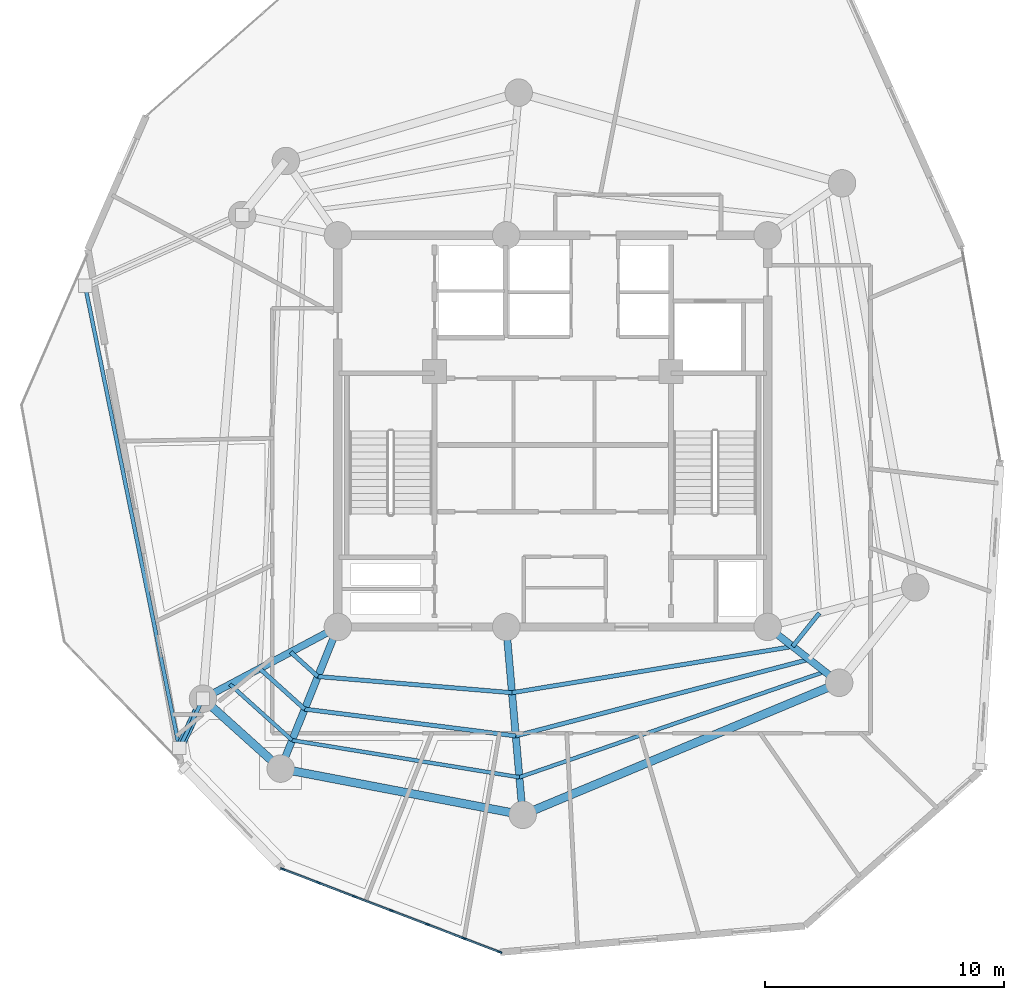
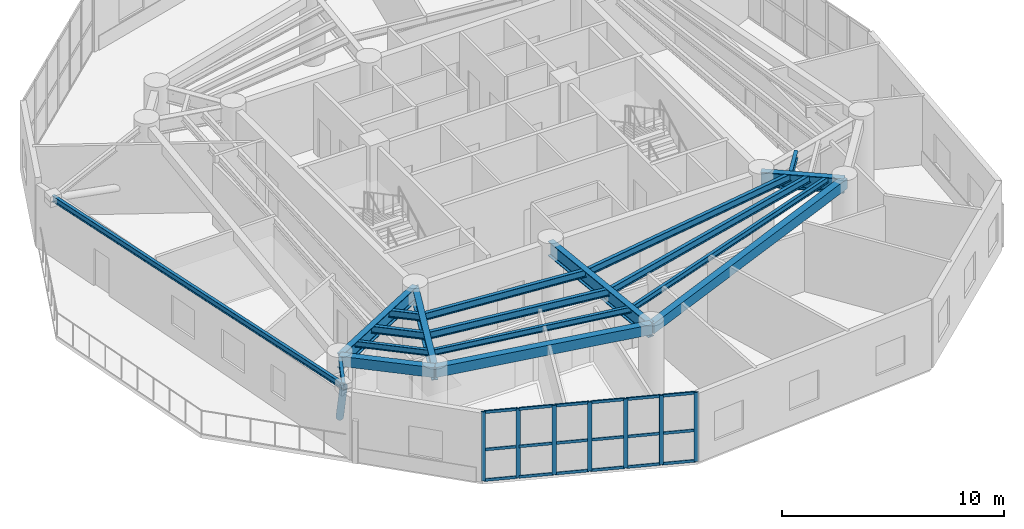
# One storey, part 2 of 12: 26 members, 19 beams, 1 element without a shape of its own.
"""IFC4 building model written with IfcOpenShell, lengths in metres."""

from ifc_helpers import new_model, si_unit, direction, frame, origin, origin_with_axes, origin_2d, place, context, subcontext, project, spatial, rectangle, hollow_circle, i_section, extrude, source, transform, mapped, material, layer, layer_set, material_profile, profile_set, type_object, element, aggregate, save


model = new_model("IFC4")

# Units and contexts
model_context = context("Model", 3, precision=1e-05, world=origin(), true_north=direction((0.0, 1.0)))
body_context = subcontext(model_context, "Body", "Model", "MODEL_VIEW")
ifc_project = project(units=[si_unit("LENGTHUNIT", "METRE"), si_unit("AREAUNIT", "SQUARE_METRE"), si_unit("VOLUMEUNIT", "CUBIC_METRE"), si_unit("PLANEANGLEUNIT", "RADIAN"), si_unit("MASSUNIT", "GRAM", prefix="KILO")], contexts=[model_context])

# Site, building, storey
site_placement = place(None, origin())
site = spatial("IfcSite", under=ifc_project, at=site_placement, CompositionType="ELEMENT")
building_placement = place(site_placement, origin())
building = spatial("IfcBuilding", under=site, at=building_placement, Name="Karkom Vertical University and Central Library", CompositionType="ELEMENT")
storey_placement = place(building_placement, frame((0.0, 0.0, 212.89990234375)))
storey = spatial("IfcBuildingStorey", under=building, at=storey_placement, Name="L62", CompositionType="ELEMENT", Elevation=212.89990234375)

# Beams
ifc_material_1 = material(Name="Steel S355", Category="steel")
ifc_material_profile_1 = material_profile(ifc_material_1, i_section(OverallWidth=0.300048828125, OverallDepth=0.800048828125, WebThickness=0.017578125, FlangeThickness=0.032958984375, FilletRadius=0.030029296875, at=origin_2d()), Name="HE 800 B")
ifc_profile_set_1 = profile_set([ifc_material_profile_1], Name="Steel S355")
beam_type_1 = type_object("IfcBeamType", Name="STR-BM-SB-HE800", PredefinedType="USERDEFINED", material=ifc_profile_set_1)
shared_shape_1 = source(origin_with_axes(), body_context, "Body", "SweptSolid", [
    extrude(i_section(OverallWidth=0.300048828125, OverallDepth=0.800048828125, WebThickness=0.017578125, FlangeThickness=0.032958984375, FilletRadius=0.030029296875, at=origin_2d()), origin(), (0.0, 0.0, 1.0), 6.39990234375),
])
beam_1_placement = place(storey_placement, frame((19.5, 18.300048828125, 3.400146484375), z_axis=(-0.374532429749, -0.927213815183, 0.0), x_axis=(0.927213815183, -0.374532429749, 0.0)))
element("IfcBeam", 1, at=beam_1_placement, inside=storey, type_object=beam_type_1, Name="Level 62 Radial Frame Girder 07", ObjectType="GIRDER", PredefinedType="USERDEFINED", context=body_context, shape_type="MappedRepresentation", body=[
    mapped(shared_shape_1, transform((0.0, 0.0, 0.0), scale=1.0)),
])
shared_shape_2 = source(origin_with_axes(), body_context, "Body", "SweptSolid", [
    extrude(i_section(OverallWidth=0.300048828125, OverallDepth=0.800048828125, WebThickness=0.017578125, FlangeThickness=0.032958984375, FilletRadius=0.030029296875, at=origin_2d()), origin(), (0.0, 0.0, 1.0), 6.400146484375),
])
beam_2_placement = place(storey_placement, frame((19.5, 18.300048828125, 3.400146484375), z_axis=(-0.882915120857, -0.469532628645, 0.0), x_axis=(0.469532628645, -0.882915120857, 0.0)))
element("IfcBeam", 2, at=beam_2_placement, inside=storey, type_object=beam_type_1, Name="Level 62 Radial Frame Girder 06", ObjectType="GIRDER", PredefinedType="USERDEFINED", context=body_context, shape_type="MappedRepresentation", body=[
    mapped(shared_shape_2, transform((0.0, 0.0, 0.0), scale=1.0)),
])
shared_shape_3 = source(origin_with_axes(), body_context, "Body", "SweptSolid", [
    extrude(i_section(OverallWidth=0.300048828125, OverallDepth=0.800048828125, WebThickness=0.017578125, FlangeThickness=0.032958984375, FilletRadius=0.030029296875, at=origin_2d()), origin(), (0.0, 0.0, 1.0), 7.900146484375),
])
beam_3_placement = place(storey_placement, frame((26.550048828125, 18.300048828125, 3.400146484375), z_axis=(0.087208352312, -0.996190093951, 0.0), x_axis=(0.996190093951, 0.087208352312, 0.0)))
element("IfcBeam", 3, at=beam_3_placement, inside=storey, type_object=beam_type_1, Name="Level 62 Radial Frame Girder 08", ObjectType="GIRDER", PredefinedType="USERDEFINED", context=body_context, shape_type="MappedRepresentation", body=[
    mapped(shared_shape_3, transform((0.0, 0.0, 0.0), scale=1.0)),
])
shared_shape_4 = source(origin_with_axes(), body_context, "Body", "SweptSolid", [
    extrude(i_section(OverallWidth=0.300048828125, OverallDepth=0.800048828125, WebThickness=0.017578125, FlangeThickness=0.032958984375, FilletRadius=0.030029296875, at=origin_2d()), origin(), (0.0, 0.0, 1.0), 3.7998046875),
])
beam_4_placement = place(storey_placement, frame((37.5, 18.300048828125, 3.400146484375), z_axis=(0.787883114707, -0.61582481077, 0.0), x_axis=(0.61582481077, 0.787883114707, 0.0)))
element("IfcBeam", 4, at=beam_4_placement, inside=storey, type_object=beam_type_1, Name="Level 62 Radial Frame Girder 09", ObjectType="GIRDER", PredefinedType="USERDEFINED", context=body_context, shape_type="MappedRepresentation", body=[
    mapped(shared_shape_4, transform((0.0, 0.0, 0.0), scale=1.0)),
])
ifc_material_2 = material(Name="Precast concrete C45/55", Category="concrete")
ifc_material_profile_2 = material_profile(ifc_material_2, rectangle(XDim=0.35009765625, YDim=0.550048828125, at=origin_2d()), Name="SPB-350x550")
ifc_profile_set_2 = profile_set([ifc_material_profile_2], Name="Precast concrete C45/55")
beam_type_2 = type_object("IfcBeamType", Name="STR-BM-SP-2", PredefinedType="SPANDREL", material=ifc_profile_set_2)
shared_shape_5 = source(origin_with_axes(), body_context, "Body", "SweptSolid", [
    extrude(rectangle(XDim=0.35009765625, YDim=0.550048828125, at=origin_2d()), origin(), (0.0, 0.0, 1.0), 4.3779296875),
])
beam_5_placement = place(storey_placement, frame((13.84912109375, 15.294921875, 3.525146484375), z_axis=(0.743244232405, -0.669020187287, 0.0), x_axis=(0.669020187287, 0.743244232405, 0.0)))
element("IfcBeam", 5, at=beam_5_placement, inside=storey, type_object=beam_type_2, Name="Level 62 Perimeter Spandrel Beam 06", PredefinedType="SPANDREL", context=body_context, shape_type="MappedRepresentation", body=[
    mapped(shared_shape_5, transform((0.0, 0.0, 0.0), scale=1.0)),
])
shared_shape_6 = source(origin_with_axes(), body_context, "Body", "SweptSolid", [
    extrude(rectangle(XDim=0.35009765625, YDim=0.550048828125, at=origin_2d()), origin(), (0.0, 0.0, 1.0), 10.3193359375),
])
beam_6_placement = place(storey_placement, frame((17.10302734375, 12.365966796875, 3.525146484375), z_axis=(0.982242767385, -0.187614354249, 0.0), x_axis=(0.187614354249, 0.982242767385, 0.0)))
element("IfcBeam", 6, at=beam_6_placement, inside=storey, type_object=beam_type_2, Name="Level 62 Perimeter Spandrel Beam 07", PredefinedType="SPANDREL", context=body_context, shape_type="MappedRepresentation", body=[
    mapped(shared_shape_6, transform((0.0, 0.0, 0.0), scale=1.0)),
])
shared_shape_7 = source(origin_with_axes(), body_context, "Body", "SweptSolid", [
    extrude(rectangle(XDim=0.35009765625, YDim=0.550048828125, at=origin_2d()), origin(), (0.0, 0.0, 1.0), 14.3623046875),
])
beam_7_placement = place(storey_placement, frame((27.239013671875, 10.429931640625, 3.525146484375), z_axis=(0.922899796194, 0.385040213725, 0.0), x_axis=(-0.385040213725, 0.922899796194, 0.0)))
element("IfcBeam", 7, at=beam_7_placement, inside=storey, type_object=beam_type_2, Name="Level 62 Perimeter Spandrel Beam 08", PredefinedType="SPANDREL", context=body_context, shape_type="MappedRepresentation", body=[
    mapped(shared_shape_7, transform((0.0, 0.0, 0.0), scale=1.0)),
])
ifc_material_profile_3 = material_profile(ifc_material_1, i_section(OverallWidth=0.179931640625, OverallDepth=0.39990234375, WebThickness=0.008544921875, FlangeThickness=0.013427734375, FilletRadius=0.02099609375, at=origin_2d()), Name="IPE 400")
ifc_profile_set_3 = profile_set([ifc_material_profile_3], Name="Steel S355")
beam_type_3 = type_object("IfcBeamType", Name="STR-BM-SB-IPE400", PredefinedType="BEAM", material=ifc_profile_set_3)
shared_shape_8 = source(origin_with_axes(), body_context, "Body", "SweptSolid", [
    extrude(i_section(OverallWidth=0.179931640625, OverallDepth=0.39990234375, WebThickness=0.008544921875, FlangeThickness=0.013427734375, FilletRadius=0.02099609375, at=origin_2d()), origin(), (0.0, 0.0, 1.0), 1.5322265625),
])
beam_8_placement = place(storey_placement, frame((17.522216796875, 17.248291015625, 3.60009765625), z_axis=(0.743183211059, -0.669087972392, 0.0), x_axis=(0.669087972392, 0.743183211059, 0.0)))
element("IfcBeam", 8, at=beam_8_placement, inside=storey, type_object=beam_type_3, Name="Level 62 Secondary Composite Floor Beam 1.06", PredefinedType="BEAM", context=body_context, shape_type="MappedRepresentation", body=[
    mapped(shared_shape_8, transform((0.0, 0.0, 0.0), scale=1.0)),
])
shared_shape_9 = source(origin_with_axes(), body_context, "Body", "SweptSolid", [
    extrude(i_section(OverallWidth=0.179931640625, OverallDepth=0.39990234375, WebThickness=0.008544921875, FlangeThickness=0.013427734375, FilletRadius=0.02099609375, at=origin_2d()), origin(), (0.0, 0.0, 1.0), 8.15869140625),
])
beam_9_placement = place(storey_placement, frame((18.660888671875, 16.22314453125, 3.60009765625), z_axis=(0.996543694183, -0.083070244882, 0.0), x_axis=(0.083070244882, 0.996543694183, 0.0)))
element("IfcBeam", 9, at=beam_9_placement, inside=storey, type_object=beam_type_3, Name="Level 62 Secondary Composite Floor Beam 1.07", PredefinedType="BEAM", context=body_context, shape_type="MappedRepresentation", body=[
    mapped(shared_shape_9, transform((0.0, 0.0, 0.0), scale=1.0)),
])
shared_shape_10 = source(origin_with_axes(), body_context, "Body", "SweptSolid", [
    extrude(i_section(OverallWidth=0.179931640625, OverallDepth=0.39990234375, WebThickness=0.008544921875, FlangeThickness=0.013427734375, FilletRadius=0.02099609375, at=origin_2d()), origin(), (0.0, 0.0, 1.0), 11.914794921875),
])
beam_10_placement = place(storey_placement, frame((26.791259765625, 15.54541015625, 3.60009765625), z_axis=(0.986717073469, 0.162448197663, 0.0), x_axis=(-0.162448197663, 0.986717073469, 0.0)))
element("IfcBeam", 10, at=beam_10_placement, inside=storey, type_object=beam_type_3, Name="Level 62 Secondary Composite Floor Beam 1.08", PredefinedType="BEAM", context=body_context, shape_type="MappedRepresentation", body=[
    mapped(shared_shape_10, transform((0.0, 0.0, 0.0), scale=1.0)),
])
shared_shape_11 = source(origin_with_axes(), body_context, "Body", "SweptSolid", [
    extrude(i_section(OverallWidth=0.179931640625, OverallDepth=0.39990234375, WebThickness=0.008544921875, FlangeThickness=0.013427734375, FilletRadius=0.02099609375, at=origin_2d()), origin(), (0.0, 0.0, 1.0), 1.789306640625),
])
beam_11_placement = place(storey_placement, frame((38.5478515625, 17.48095703125, 3.60009765625), z_axis=(0.623679519349, 0.781680150154, 0.0), x_axis=(-0.781680150154, 0.623679519349, 0.0)))
element("IfcBeam", 11, at=beam_11_placement, inside=storey, type_object=beam_type_3, Name="Level 62 Secondary Composite Floor Beam 1.09", PredefinedType="BEAM", context=body_context, shape_type="MappedRepresentation", body=[
    mapped(shared_shape_11, transform((0.0, 0.0, 0.0), scale=1.0)),
])
shared_shape_12 = source(origin_with_axes(), body_context, "Body", "SweptSolid", [
    extrude(i_section(OverallWidth=0.179931640625, OverallDepth=0.39990234375, WebThickness=0.008544921875, FlangeThickness=0.013427734375, FilletRadius=0.02099609375, at=origin_2d()), origin(), (0.0, 0.0, 1.0), 2.5390625),
])
beam_12_placement = place(storey_placement, frame((16.222412109375, 16.55712890625, 3.60009765625), z_axis=(0.743246334517, -0.669017851949, 0.0), x_axis=(0.669017851949, 0.743246334517, 0.0)))
element("IfcBeam", 12, at=beam_12_placement, inside=storey, type_object=beam_type_3, Name="Level 62 Secondary Composite Floor Beam 2.06", PredefinedType="BEAM", context=body_context, shape_type="MappedRepresentation", body=[
    mapped(shared_shape_12, transform((0.0, 0.0, 0.0), scale=1.0)),
])
shared_shape_13 = source(origin_with_axes(), body_context, "Body", "SweptSolid", [
    extrude(i_section(OverallWidth=0.179931640625, OverallDepth=0.39990234375, WebThickness=0.008544921875, FlangeThickness=0.013427734375, FilletRadius=0.02099609375, at=origin_2d()), origin(), (0.0, 0.0, 1.0), 8.9111328125),
])
beam_13_placement = place(storey_placement, frame((18.109619140625, 14.8583984375, 3.60009765625), z_axis=(0.992026771403, -0.126027317751, 0.0), x_axis=(0.126027317751, 0.992026771403, 0.0)))
element("IfcBeam", 13, at=beam_13_placement, inside=storey, type_object=beam_type_3, Name="Level 62 Secondary Composite Floor Beam 2.07", PredefinedType="BEAM", context=body_context, shape_type="MappedRepresentation", body=[
    mapped(shared_shape_13, transform((0.0, 0.0, 0.0), scale=1.0)),
])
shared_shape_14 = source(origin_with_axes(), body_context, "Body", "SweptSolid", [
    extrude(i_section(OverallWidth=0.179931640625, OverallDepth=0.39990234375, WebThickness=0.008544921875, FlangeThickness=0.013427734375, FilletRadius=0.02099609375, at=origin_2d()), origin(), (0.0, 0.0, 1.0), 12.69873046875),
])
beam_14_placement = place(storey_placement, frame((26.94970703125, 13.7353515625, 3.60009765625), z_axis=(0.967573974729, 0.252587813301, 0.0), x_axis=(-0.252587813301, 0.967573974729, 0.0)))
element("IfcBeam", 14, at=beam_14_placement, inside=storey, type_object=beam_type_3, Name="Level 62 Secondary Composite Floor Beam 2.08", PredefinedType="BEAM", context=body_context, shape_type="MappedRepresentation", body=[
    mapped(shared_shape_14, transform((0.0, 0.0, 0.0), scale=1.0)),
])
ifc_material_profile_4 = material_profile(ifc_material_1, i_section(OverallWidth=0.159912109375, OverallDepth=0.330078125, WebThickness=0.007568359375, FlangeThickness=0.011474609375, FilletRadius=0.01806640625, at=origin_2d()), Name="IPE 330")
ifc_profile_set_4 = profile_set([ifc_material_profile_4], Name="Steel S355")
beam_type_4 = type_object("IfcBeamType", Name="STR-BM-SB-IPE330", PredefinedType="BEAM", material=ifc_profile_set_4)
shared_shape_15 = source(origin_with_axes(), body_context, "Body", "SweptSolid", [
    extrude(i_section(OverallWidth=0.159912109375, OverallDepth=0.330078125, WebThickness=0.007568359375, FlangeThickness=0.011474609375, FilletRadius=0.01806640625, at=origin_2d()), origin(), (0.0, 0.0, 1.0), 3.50244140625),
])
beam_15_placement = place(storey_placement, frame((14.979248046875, 15.89599609375, 3.635009765625), z_axis=(0.743249087562, -0.669014793437, 0.0), x_axis=(0.669014793437, 0.743249087562, 0.0)))
element("IfcBeam", 15, at=beam_15_placement, inside=storey, type_object=beam_type_4, Name="Level 62 Secondary Composite Floor Beam 3.06", PredefinedType="BEAM", context=body_context, shape_type="MappedRepresentation", body=[
    mapped(shared_shape_15, transform((0.0, 0.0, 0.0), scale=1.0)),
])
shared_shape_16 = source(origin_with_axes(), body_context, "Body", "SweptSolid", [
    extrude(i_section(OverallWidth=0.159912109375, OverallDepth=0.330078125, WebThickness=0.007568359375, FlangeThickness=0.011474609375, FilletRadius=0.01806640625, at=origin_2d()), origin(), (0.0, 0.0, 1.0), 9.64404296875),
])
beam_16_placement = place(storey_placement, frame((17.58251953125, 13.552734375, 3.635009765625), z_axis=(0.987019497924, -0.160600469231, 0.0), x_axis=(0.160600469231, 0.987019497924, 0.0)))
element("IfcBeam", 16, at=beam_16_placement, inside=storey, type_object=beam_type_4, Name="Level 62 Secondary Composite Floor Beam 3.07", PredefinedType="BEAM", context=body_context, shape_type="MappedRepresentation", body=[
    mapped(shared_shape_16, transform((0.0, 0.0, 0.0), scale=1.0)),
])
shared_shape_17 = source(origin_with_axes(), body_context, "Body", "SweptSolid", [
    extrude(i_section(OverallWidth=0.159912109375, OverallDepth=0.330078125, WebThickness=0.007568359375, FlangeThickness=0.011474609375, FilletRadius=0.01806640625, at=origin_2d()), origin(), (0.0, 0.0, 1.0), 13.537353515625),
])
beam_17_placement = place(storey_placement, frame((27.101318359375, 12.00390625, 3.635009765625), z_axis=(0.945091088216, 0.32680703018, 0.0), x_axis=(-0.32680703018, 0.945091088216, 0.0)))
element("IfcBeam", 17, at=beam_17_placement, inside=storey, type_object=beam_type_4, Name="Level 62 Secondary Composite Floor Beam 3.08", PredefinedType="BEAM", context=body_context, shape_type="MappedRepresentation", body=[
    mapped(shared_shape_17, transform((0.0, 0.0, 0.0), scale=1.0)),
])
shared_shape_18 = source(origin_with_axes(), body_context, "Body", "SweptSolid", [
    extrude(i_section(OverallWidth=0.159912109375, OverallDepth=0.330078125, WebThickness=0.007568359375, FlangeThickness=0.011474609375, FilletRadius=0.01806640625, at=origin_2d()), origin(), (0.0, 0.0, 1.0), 2.29052734375),
])
beam_18_placement = place(storey_placement, frame((13.84912109375, 15.294921875, 3.635009765625), z_axis=(-0.432013623965, -0.901867079291, 0.0), x_axis=(0.901867079291, -0.432013623965, 0.0)))
element("IfcBeam", 18, at=beam_18_placement, inside=storey, type_object=beam_type_4, Name="Level 62 Sky Garden Outrigger Support Beam 2", PredefinedType="BEAM", context=body_context, shape_type="MappedRepresentation", body=[
    mapped(shared_shape_18, transform((0.0, 0.0, 0.0), scale=1.0)),
])

# Member
ifc_material_profile_5 = material_profile(ifc_material_1, hollow_circle(Radius=0.177734375, WallThickness=0.01611328125, at=origin_2d()), Name="CHS 355.6x16")
ifc_profile_set_5 = profile_set([ifc_material_profile_5], Name="Steel S355")
member_type_1 = type_object("IfcMemberType", Name="STR-MEM-BR-3", PredefinedType="BRACE", material=ifc_profile_set_5)
shared_shape_19 = source(origin_with_axes(), body_context, "Body", "SweptSolid", [
    extrude(hollow_circle(Radius=0.177734375, WallThickness=0.01611328125, at=origin_2d()), origin(), (0.0, 0.0, 1.0), 4.004638671875),
])
member_1_placement = place(storey_placement, frame((13.84912109375, 15.294921875, 0.35009765625), z_axis=(-0.247091727027, -0.515826080033, 0.820286007191), x_axis=(0.901867079291, -0.432013623965, 0.0)))
element("IfcMember", 19, at=member_1_placement, inside=storey, type_object=member_type_1, Name="Level 62 Sky Garden Knee Strut Brace 2", PredefinedType="BRACE", context=body_context, shape_type="MappedRepresentation", body=[
    mapped(shared_shape_19, transform((0.0, 0.0, 0.0), scale=1.0)),
])

# Beam
shared_shape_20 = source(origin_with_axes(), body_context, "Body", "SweptSolid", [
    extrude(i_section(OverallWidth=0.159912109375, OverallDepth=0.330078125, WebThickness=0.007568359375, FlangeThickness=0.011474609375, FilletRadius=0.01806640625, at=origin_2d()), origin(), (0.0, 0.0, 1.0), 19.759765625),
])
beam_19_placement = place(storey_placement, frame((8.913330078125, 32.591064453125, 3.635009765625), z_axis=(0.199712127621, -0.979854614767, 0.0), x_axis=(0.979854614767, 0.199712127621, 0.0)))
element("IfcBeam", 20, at=beam_19_placement, inside=storey, type_object=beam_type_4, Name="Level 62 Sky Garden Perimeter Edge Beam", PredefinedType="BEAM", context=body_context, shape_type="MappedRepresentation", body=[
    mapped(shared_shape_20, transform((0.0, 0.0, 0.0), scale=1.0)),
])

# Curtain wall, members
ifc_material_3 = material(Name="Aluminium curtain-wall framing and low-E IGU", Category="aluminium")
ifc_layer = layer(ifc_material_3, 0.199951171875)
ifc_layer_set = layer_set([ifc_layer], Name="Aluminium curtain-wall framing and low-E IGU")
curtain_wall_type = type_object("IfcCurtainWallType", Name="ENV-CW-5", PredefinedType="USERDEFINED", material=ifc_layer_set)
curtain_wall_placement = place(storey_placement, origin())
curtain_wall = element("IfcCurtainWall", 21, at=curtain_wall_placement, inside=storey, type_object=curtain_wall_type, Name="Level 62 CW-5 Curtain Wall L62-CW5-02", ObjectType="UNITISED GLAZING", PredefinedType="USERDEFINED")
ifc_material_4 = material(Name="Anodised Aluminium 6063-T6", Category="aluminium")
ifc_material_profile_6 = material_profile(ifc_material_4, rectangle(XDim=0.070068359375, YDim=0.199951171875, at=origin_2d()), Name="ALU-M70x200")
ifc_profile_set_6 = profile_set([ifc_material_profile_6], Name="Anodised Aluminium 6063-T6")
member_type_2 = type_object("IfcMemberType", Name="ENV-MEM-ALU-M70x200", PredefinedType="MULLION", material=ifc_profile_set_6)
shared_shape_21 = source(origin_with_axes(), body_context, "Body", "SweptSolid", [
    extrude(rectangle(XDim=0.070068359375, YDim=0.199951171875, at=origin_2d()), origin(), (0.0, 0.0, 1.0), 3.800048828125),
])
member_2_placement = place(storey_placement, frame((17.197265625, 8.15673828125, 0.0), z_axis=(0.0, 0.0, 1.0), x_axis=(0.35718177618, 0.934034891621, 0.0)))
member_2 = element("IfcMember", 22, at=member_2_placement, type_object=member_type_2, Name="CW-5 mullion 1", PredefinedType="MULLION", context=body_context, shape_type="MappedRepresentation", body=[
    mapped(shared_shape_21, transform((0.0, 0.0, 0.0), scale=1.0)),
])
member_3_placement = place(storey_placement, frame((18.68798828125, 7.586669921875, 0.0), z_axis=(0.0, 0.0, 1.0), x_axis=(0.35718177618, 0.934034891621, 0.0)))
member_3 = element("IfcMember", 23, at=member_3_placement, type_object=member_type_2, Name="CW-5 mullion 2", PredefinedType="MULLION", context=body_context, shape_type="MappedRepresentation", body=[
    mapped(shared_shape_21, transform((0.0, 0.0, 0.0), scale=1.0)),
])
member_4_placement = place(storey_placement, frame((20.211669921875, 7.00390625, 0.0), z_axis=(0.0, 0.0, 1.0), x_axis=(0.35718177618, 0.934034891621, 0.0)))
member_4 = element("IfcMember", 24, at=member_4_placement, type_object=member_type_2, Name="CW-5 mullion 3", PredefinedType="MULLION", context=body_context, shape_type="MappedRepresentation", body=[
    mapped(shared_shape_21, transform((0.0, 0.0, 0.0), scale=1.0)),
])
member_5_placement = place(storey_placement, frame((21.735107421875, 6.42138671875, 0.0), z_axis=(0.0, 0.0, 1.0), x_axis=(0.35718177618, 0.934034891621, 0.0)))
member_5 = element("IfcMember", 25, at=member_5_placement, type_object=member_type_2, Name="CW-5 mullion 4", PredefinedType="MULLION", context=body_context, shape_type="MappedRepresentation", body=[
    mapped(shared_shape_21, transform((0.0, 0.0, 0.0), scale=1.0)),
])
member_6_placement = place(storey_placement, frame((23.2587890625, 5.838623046875, 0.0), z_axis=(0.0, 0.0, 1.0), x_axis=(0.35718177618, 0.934034891621, 0.0)))
member_6 = element("IfcMember", 26, at=member_6_placement, type_object=member_type_2, Name="CW-5 mullion 5", PredefinedType="MULLION", context=body_context, shape_type="MappedRepresentation", body=[
    mapped(shared_shape_21, transform((0.0, 0.0, 0.0), scale=1.0)),
])
member_7_placement = place(storey_placement, frame((24.7822265625, 5.256103515625, 0.0), z_axis=(0.0, 0.0, 1.0), x_axis=(0.35718177618, 0.934034891621, 0.0)))
member_7 = element("IfcMember", 27, at=member_7_placement, type_object=member_type_2, Name="CW-5 mullion 6", PredefinedType="MULLION", context=body_context, shape_type="MappedRepresentation", body=[
    mapped(shared_shape_21, transform((0.0, 0.0, 0.0), scale=1.0)),
])
member_8_placement = place(storey_placement, frame((26.273193359375, 4.68603515625, 0.0), z_axis=(0.0, 0.0, 1.0), x_axis=(0.35718177618, 0.934034891621, 0.0)))
member_8 = element("IfcMember", 28, at=member_8_placement, type_object=member_type_2, Name="CW-5 mullion 7", PredefinedType="MULLION", context=body_context, shape_type="MappedRepresentation", body=[
    mapped(shared_shape_21, transform((0.0, 0.0, 0.0), scale=1.0)),
])
ifc_material_profile_7 = material_profile(ifc_material_4, rectangle(XDim=0.070068359375, YDim=0.14990234375, at=origin_2d()), Name="ALU-T70x150")
ifc_profile_set_7 = profile_set([ifc_material_profile_7], Name="Anodised Aluminium 6063-T6")
member_type_3 = type_object("IfcMemberType", Name="ENV-MEM-ALU-T70x150", PredefinedType="USERDEFINED", material=ifc_profile_set_7)
shared_shape_22 = source(origin_with_axes(), body_context, "Body", "SweptSolid", [
    extrude(rectangle(XDim=0.070068359375, YDim=0.14990234375, at=origin_2d()), origin(), (0.0, 0.0, 1.0), 1.52587890625),
])
member_9_placement = place(storey_placement, frame((17.22998046875, 8.144287109375, 0.03515625), z_axis=(0.934007876455, -0.357252413176, 0.0), x_axis=(0.357252413176, 0.934007876455, 0.0)))
member_9 = element("IfcMember", 29, at=member_9_placement, type_object=member_type_3, Name="CW-5 transom 1.1", ObjectType="TRANSOM", PredefinedType="USERDEFINED", context=body_context, shape_type="MappedRepresentation", body=[
    mapped(shared_shape_22, transform((0.0, 0.0, 0.0), scale=1.0)),
])
member_10_placement = place(storey_placement, frame((17.22998046875, 8.144287109375, 1.710205078125), z_axis=(0.934007876455, -0.357252413176, 0.0), x_axis=(0.357252413176, 0.934007876455, 0.0)))
member_10 = element("IfcMember", 30, at=member_10_placement, type_object=member_type_3, Name="CW-5 transom 1.2", ObjectType="TRANSOM", PredefinedType="USERDEFINED", context=body_context, shape_type="MappedRepresentation", body=[
    mapped(shared_shape_22, transform((0.0, 0.0, 0.0), scale=1.0)),
])
member_11_placement = place(storey_placement, frame((17.22998046875, 8.144287109375, 3.76513671875), z_axis=(0.934007876455, -0.357252413176, 0.0), x_axis=(0.357252413176, 0.934007876455, 0.0)))
member_11 = element("IfcMember", 31, at=member_11_placement, type_object=member_type_3, Name="CW-5 transom 1.3", ObjectType="TRANSOM", PredefinedType="USERDEFINED", context=body_context, shape_type="MappedRepresentation", body=[
    mapped(shared_shape_22, transform((0.0, 0.0, 0.0), scale=1.0)),
])
shared_shape_23 = source(origin_with_axes(), body_context, "Body", "SweptSolid", [
    extrude(rectangle(XDim=0.070068359375, YDim=0.14990234375, at=origin_2d()), origin(), (0.0, 0.0, 1.0), 1.561279296875),
])
member_12_placement = place(storey_placement, frame((18.720703125, 7.573974609375, 0.03515625), z_axis=(0.93404109456, -0.357165554993, 0.0), x_axis=(0.357165554993, 0.93404109456, 0.0)))
member_12 = element("IfcMember", 32, at=member_12_placement, type_object=member_type_3, Name="CW-5 transom 2.1", ObjectType="TRANSOM", PredefinedType="USERDEFINED", context=body_context, shape_type="MappedRepresentation", body=[
    mapped(shared_shape_23, transform((0.0, 0.0, 0.0), scale=1.0)),
])
member_13_placement = place(storey_placement, frame((18.720703125, 7.573974609375, 1.710205078125), z_axis=(0.93404109456, -0.357165554993, 0.0), x_axis=(0.357165554993, 0.93404109456, 0.0)))
member_13 = element("IfcMember", 33, at=member_13_placement, type_object=member_type_3, Name="CW-5 transom 2.2", ObjectType="TRANSOM", PredefinedType="USERDEFINED", context=body_context, shape_type="MappedRepresentation", body=[
    mapped(shared_shape_23, transform((0.0, 0.0, 0.0), scale=1.0)),
])
member_14_placement = place(storey_placement, frame((18.720703125, 7.573974609375, 3.76513671875), z_axis=(0.93404109456, -0.357165554993, 0.0), x_axis=(0.357165554993, 0.93404109456, 0.0)))
member_14 = element("IfcMember", 34, at=member_14_placement, type_object=member_type_3, Name="CW-5 transom 2.3", ObjectType="TRANSOM", PredefinedType="USERDEFINED", context=body_context, shape_type="MappedRepresentation", body=[
    mapped(shared_shape_23, transform((0.0, 0.0, 0.0), scale=1.0)),
])
member_15_placement = place(storey_placement, frame((21.767822265625, 6.408935546875, 0.03515625), z_axis=(0.93404109456, -0.357165554993, 0.0), x_axis=(0.357165554993, 0.93404109456, 0.0)))
member_15 = element("IfcMember", 35, at=member_15_placement, type_object=member_type_3, Name="CW-5 transom 4.1", ObjectType="TRANSOM", PredefinedType="USERDEFINED", context=body_context, shape_type="MappedRepresentation", body=[
    mapped(shared_shape_23, transform((0.0, 0.0, 0.0), scale=1.0)),
])
member_16_placement = place(storey_placement, frame((21.767822265625, 6.408935546875, 1.710205078125), z_axis=(0.93404109456, -0.357165554993, 0.0), x_axis=(0.357165554993, 0.93404109456, 0.0)))
member_16 = element("IfcMember", 36, at=member_16_placement, type_object=member_type_3, Name="CW-5 transom 4.2", ObjectType="TRANSOM", PredefinedType="USERDEFINED", context=body_context, shape_type="MappedRepresentation", body=[
    mapped(shared_shape_23, transform((0.0, 0.0, 0.0), scale=1.0)),
])
member_17_placement = place(storey_placement, frame((21.767822265625, 6.408935546875, 3.76513671875), z_axis=(0.93404109456, -0.357165554993, 0.0), x_axis=(0.357165554993, 0.93404109456, 0.0)))
member_17 = element("IfcMember", 37, at=member_17_placement, type_object=member_type_3, Name="CW-5 transom 4.3", ObjectType="TRANSOM", PredefinedType="USERDEFINED", context=body_context, shape_type="MappedRepresentation", body=[
    mapped(shared_shape_23, transform((0.0, 0.0, 0.0), scale=1.0)),
])
shared_shape_24 = source(origin_with_axes(), body_context, "Body", "SweptSolid", [
    extrude(rectangle(XDim=0.070068359375, YDim=0.14990234375, at=origin_2d()), origin(), (0.0, 0.0, 1.0), 1.56103515625),
])
member_18_placement = place(storey_placement, frame((20.244384765625, 6.991455078125, 0.03515625), z_axis=(0.93402114158, -0.357217730638, 0.0), x_axis=(0.357217730638, 0.93402114158, 0.0)))
member_18 = element("IfcMember", 38, at=member_18_placement, type_object=member_type_3, Name="CW-5 transom 3.1", ObjectType="TRANSOM", PredefinedType="USERDEFINED", context=body_context, shape_type="MappedRepresentation", body=[
    mapped(shared_shape_24, transform((0.0, 0.0, 0.0), scale=1.0)),
])
member_19_placement = place(storey_placement, frame((20.244384765625, 6.991455078125, 1.710205078125), z_axis=(0.93402114158, -0.357217730638, 0.0), x_axis=(0.357217730638, 0.93402114158, 0.0)))
member_19 = element("IfcMember", 39, at=member_19_placement, type_object=member_type_3, Name="CW-5 transom 3.2", ObjectType="TRANSOM", PredefinedType="USERDEFINED", context=body_context, shape_type="MappedRepresentation", body=[
    mapped(shared_shape_24, transform((0.0, 0.0, 0.0), scale=1.0)),
])
member_20_placement = place(storey_placement, frame((20.244384765625, 6.991455078125, 3.76513671875), z_axis=(0.93402114158, -0.357217730638, 0.0), x_axis=(0.357217730638, 0.93402114158, 0.0)))
member_20 = element("IfcMember", 40, at=member_20_placement, type_object=member_type_3, Name="CW-5 transom 3.3", ObjectType="TRANSOM", PredefinedType="USERDEFINED", context=body_context, shape_type="MappedRepresentation", body=[
    mapped(shared_shape_24, transform((0.0, 0.0, 0.0), scale=1.0)),
])
member_21_placement = place(storey_placement, frame((23.29150390625, 5.826171875, 0.03515625), z_axis=(0.93402114158, -0.357217730638, 0.0), x_axis=(0.357217730638, 0.93402114158, 0.0)))
member_21 = element("IfcMember", 41, at=member_21_placement, type_object=member_type_3, Name="CW-5 transom 5.1", ObjectType="TRANSOM", PredefinedType="USERDEFINED", context=body_context, shape_type="MappedRepresentation", body=[
    mapped(shared_shape_24, transform((0.0, 0.0, 0.0), scale=1.0)),
])
member_22_placement = place(storey_placement, frame((23.29150390625, 5.826171875, 1.710205078125), z_axis=(0.93402114158, -0.357217730638, 0.0), x_axis=(0.357217730638, 0.93402114158, 0.0)))
member_22 = element("IfcMember", 42, at=member_22_placement, type_object=member_type_3, Name="CW-5 transom 5.2", ObjectType="TRANSOM", PredefinedType="USERDEFINED", context=body_context, shape_type="MappedRepresentation", body=[
    mapped(shared_shape_24, transform((0.0, 0.0, 0.0), scale=1.0)),
])
member_23_placement = place(storey_placement, frame((23.29150390625, 5.826171875, 3.76513671875), z_axis=(0.93402114158, -0.357217730638, 0.0), x_axis=(0.357217730638, 0.93402114158, 0.0)))
member_23 = element("IfcMember", 43, at=member_23_placement, type_object=member_type_3, Name="CW-5 transom 5.3", ObjectType="TRANSOM", PredefinedType="USERDEFINED", context=body_context, shape_type="MappedRepresentation", body=[
    mapped(shared_shape_24, transform((0.0, 0.0, 0.0), scale=1.0)),
])
shared_shape_25 = source(origin_with_axes(), body_context, "Body", "SweptSolid", [
    extrude(rectangle(XDim=0.070068359375, YDim=0.14990234375, at=origin_2d()), origin(), (0.0, 0.0, 1.0), 1.526123046875),
])
member_24_placement = place(storey_placement, frame((24.81494140625, 5.24365234375, 0.03515625), z_axis=(0.934028290988, -0.357199036441, 0.0), x_axis=(0.357199036441, 0.934028290988, 0.0)))
member_24 = element("IfcMember", 44, at=member_24_placement, type_object=member_type_3, Name="CW-5 transom 6.1", ObjectType="TRANSOM", PredefinedType="USERDEFINED", context=body_context, shape_type="MappedRepresentation", body=[
    mapped(shared_shape_25, transform((0.0, 0.0, 0.0), scale=1.0)),
])
member_25_placement = place(storey_placement, frame((24.81494140625, 5.24365234375, 1.710205078125), z_axis=(0.934028290988, -0.357199036441, 0.0), x_axis=(0.357199036441, 0.934028290988, 0.0)))
member_25 = element("IfcMember", 45, at=member_25_placement, type_object=member_type_3, Name="CW-5 transom 6.2", ObjectType="TRANSOM", PredefinedType="USERDEFINED", context=body_context, shape_type="MappedRepresentation", body=[
    mapped(shared_shape_25, transform((0.0, 0.0, 0.0), scale=1.0)),
])
member_26_placement = place(storey_placement, frame((24.81494140625, 5.24365234375, 3.76513671875), z_axis=(0.934028290988, -0.357199036441, 0.0), x_axis=(0.357199036441, 0.934028290988, 0.0)))
member_26 = element("IfcMember", 46, at=member_26_placement, type_object=member_type_3, Name="CW-5 transom 6.3", ObjectType="TRANSOM", PredefinedType="USERDEFINED", context=body_context, shape_type="MappedRepresentation", body=[
    mapped(shared_shape_25, transform((0.0, 0.0, 0.0), scale=1.0)),
])
aggregate(curtain_wall, [member_2, member_3, member_4, member_5, member_6, member_7, member_8, member_9, member_10, member_11, member_12, member_13, member_14, member_18, member_19, member_20, member_15, member_16, member_17, member_21, member_22, member_23, member_24, member_25, member_26])

save(model, "model.ifc")
